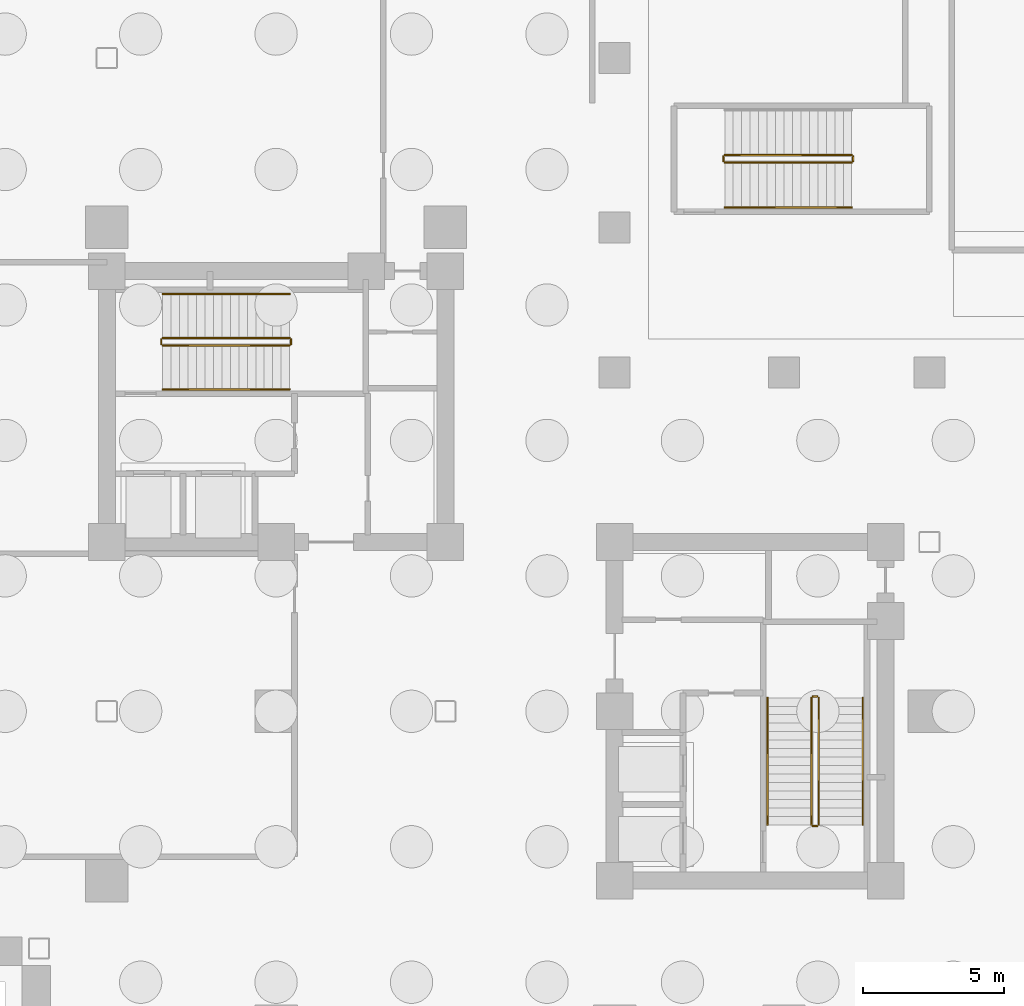
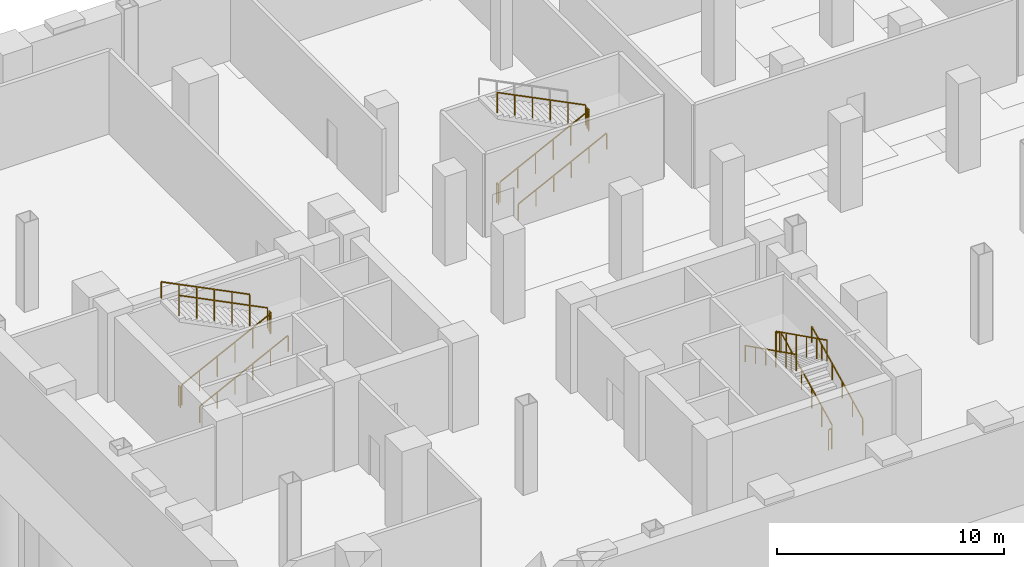
# One storey, part 5 of 7: 17 railings.
"""IFC4 building model written with IfcOpenShell, lengths in metres."""

from ifc_helpers import new_model, si_unit, direction, frame, origin, origin_2d, place, context, subcontext, project, spatial, rectangle, extrude, material, type_object, element, save


model = new_model("IFC4")

# Units and contexts
model_context = context("Model", 3, precision=1e-05, world=origin(), true_north=direction((0.0, 1.0)))
body_context = subcontext(model_context, "Body", "Model", "MODEL_VIEW")
ifc_project = project(units=[si_unit("LENGTHUNIT", "METRE"), si_unit("AREAUNIT", "SQUARE_METRE"), si_unit("VOLUMEUNIT", "CUBIC_METRE"), si_unit("PLANEANGLEUNIT", "RADIAN"), si_unit("MASSUNIT", "GRAM", prefix="KILO"), si_unit("THERMODYNAMICTEMPERATUREUNIT", "KELVIN"), si_unit("POWERUNIT", "WATT")], contexts=[model_context])

# Site, building, storey
site_placement = place(None, origin())
site = spatial("IfcSite", under=ifc_project, at=site_placement, CompositionType="ELEMENT")
building_placement = place(site_placement, origin())
building = spatial("IfcBuilding", under=site, at=building_placement, Name="Svarakhadi Broadcast Tower", CompositionType="ELEMENT")
storey_placement = place(building_placement, frame((0.0, 0.0, -9.60009765625)))
storey = spatial("IfcBuildingStorey", under=building, at=storey_placement, Name="B02", CompositionType="ELEMENT", Elevation=-9.60009765625)

# Railings
ifc_material = material(Name="Anodised Bronze Aluminium AA 6063-T6", Category="aluminium")
railing_type_1 = type_object("IfcRailingType", Name="Guard_Stair_GR01", PredefinedType="GUARDRAIL", material=ifc_material)
railing_1_placement = place(storey_placement, frame((7.97998046875, 24.969970703125, 0.150146484375)))
element("IfcRailing", 1, at=railing_1_placement, inside=storey, type_object=railing_type_1, Name="B02 ST-01 stair guard 1", PredefinedType="GUARDRAIL", context=body_context, shape_type="SweptSolid", body=[
    extrude(rectangle(XDim=0.048095703125, YDim=0.048095703125, at=origin_2d()), frame((0.0, 0.0, 1.09619140625), z_axis=(0.894427191, 0.0, 0.4472135955), x_axis=(0.0, 1.0, 0.0)), (0.0, 0.0, 1.0), 5.03125),
    extrude(rectangle(XDim=0.0419921875, YDim=0.0419921875, at=origin_2d()), origin(), (0.0, 0.0, 1.0), 1.072021484375),
    extrude(rectangle(XDim=0.0419921875, YDim=0.0419921875, at=origin_2d()), frame((0.89990234375, 0.0, 0.449951171875)), (0.0, 0.0, 1.0), 1.072021484375),
    extrude(rectangle(XDim=0.0419921875, YDim=0.0419921875, at=origin_2d()), frame((1.800048828125, 0.0, 0.89990234375)), (0.0, 0.0, 1.0), 1.072021484375),
    extrude(rectangle(XDim=0.0419921875, YDim=0.0419921875, at=origin_2d()), frame((2.699951171875, 0.0, 1.35009765625)), (0.0, 0.0, 1.0), 1.072021484375),
    extrude(rectangle(XDim=0.0419921875, YDim=0.0419921875, at=origin_2d()), frame((3.60009765625, 0.0, 1.800048828125)), (0.0, 0.0, 1.0), 1.072021484375),
    extrude(rectangle(XDim=0.0419921875, YDim=0.0419921875, at=origin_2d()), frame((4.5, 0.0, 2.25)), (0.0, 0.0, 1.0), 1.072021484375),
])
railing_2_placement = place(storey_placement, frame((12.530029296875, 25.02001953125, 2.400146484375)))
element("IfcRailing", 2, at=railing_2_placement, inside=storey, type_object=railing_type_1, Name="B02 ST-01 stair guard 2", PredefinedType="GUARDRAIL", context=body_context, shape_type="SweptSolid", body=[
    extrude(rectangle(XDim=0.048095703125, YDim=0.048095703125, at=origin_2d()), frame((0.0, 0.0, 1.09619140625), z_axis=(0.0, 1.0, 0.0), x_axis=(-1.0, 0.0, 0.0)), (0.0, 0.0, 1.0), 0.159912109375),
    extrude(rectangle(XDim=0.0419921875, YDim=0.0419921875, at=origin_2d()), origin(), (0.0, 0.0, 1.0), 1.072021484375),
    extrude(rectangle(XDim=0.0419921875, YDim=0.0419921875, at=origin_2d()), frame((0.0, 0.159912109375, 0.0)), (0.0, 0.0, 1.0), 1.072021484375),
])
railing_3_placement = place(storey_placement, frame((12.47998046875, 25.22998046875, 2.550048828125)))
element("IfcRailing", 3, at=railing_3_placement, inside=storey, type_object=railing_type_1, Name="B02 ST-01 stair guard 3", PredefinedType="GUARDRAIL", context=body_context, shape_type="SweptSolid", body=[
    extrude(rectangle(XDim=0.048095703125, YDim=0.048095703125, at=origin_2d()), frame((0.0, 0.0, 1.09619140625), z_axis=(-0.894427191, 0.0, 0.4472135955), x_axis=(0.0, -1.0, 0.0)), (0.0, 0.0, 1.0), 5.03125),
    extrude(rectangle(XDim=0.0419921875, YDim=0.0419921875, at=origin_2d()), origin(), (0.0, 0.0, 1.0), 1.072021484375),
    extrude(rectangle(XDim=0.0419921875, YDim=0.0419921875, at=origin_2d()), frame((-0.89990234375, 0.0, 0.449951171875)), (0.0, 0.0, 1.0), 1.072021484375),
    extrude(rectangle(XDim=0.0419921875, YDim=0.0419921875, at=origin_2d()), frame((-1.800048828125, 0.0, 0.89990234375)), (0.0, 0.0, 1.0), 1.072021484375),
    extrude(rectangle(XDim=0.0419921875, YDim=0.0419921875, at=origin_2d()), frame((-2.699951171875, 0.0, 1.35009765625)), (0.0, 0.0, 1.0), 1.072021484375),
    extrude(rectangle(XDim=0.0419921875, YDim=0.0419921875, at=origin_2d()), frame((-3.60009765625, 0.0, 1.800048828125)), (0.0, 0.0, 1.0), 1.072021484375),
    extrude(rectangle(XDim=0.0419921875, YDim=0.0419921875, at=origin_2d()), frame((-4.5, 0.0, 2.25)), (0.0, 0.0, 1.0), 1.072021484375),
])
railing_4_placement = place(storey_placement, frame((7.929931640625, 25.02001953125, 0.0)))
element("IfcRailing", 4, at=railing_4_placement, inside=storey, type_object=railing_type_1, Name="B02 ST-01 stair guard 4", PredefinedType="GUARDRAIL", context=body_context, shape_type="SweptSolid", body=[
    extrude(rectangle(XDim=0.048095703125, YDim=0.048095703125, at=origin_2d()), frame((0.0, 0.0, 1.09619140625), z_axis=(0.0, 1.0, 0.0), x_axis=(-1.0, 0.0, 0.0)), (0.0, 0.0, 1.0), 0.159912109375),
    extrude(rectangle(XDim=0.0419921875, YDim=0.0419921875, at=origin_2d()), origin(), (0.0, 0.0, 1.0), 1.072021484375),
    extrude(rectangle(XDim=0.0419921875, YDim=0.0419921875, at=origin_2d()), frame((0.0, 0.159912109375, 0.0)), (0.0, 0.0, 1.0), 1.072021484375),
])
railing_5_placement = place(storey_placement, frame((31.22998046875, 7.97998046875, 0.150146484375)))
element("IfcRailing", 5, at=railing_5_placement, inside=storey, type_object=railing_type_1, Name="B02 ST-02 stair guard 1", PredefinedType="GUARDRAIL", context=body_context, shape_type="SweptSolid", body=[
    extrude(rectangle(XDim=0.048095703125, YDim=0.048095703125, at=origin_2d()), frame((0.0, 0.0, 1.09619140625), z_axis=(0.0, 0.894427191, 0.4472135955), x_axis=(-1.0, 0.0, 0.0)), (0.0, 0.0, 1.0), 5.03125),
    extrude(rectangle(XDim=0.0419921875, YDim=0.0419921875, at=origin_2d()), origin(), (0.0, 0.0, 1.0), 1.072021484375),
    extrude(rectangle(XDim=0.0419921875, YDim=0.0419921875, at=origin_2d()), frame((0.0, 0.89990234375, 0.449951171875)), (0.0, 0.0, 1.0), 1.072021484375),
    extrude(rectangle(XDim=0.0419921875, YDim=0.0419921875, at=origin_2d()), frame((0.0, 1.800048828125, 0.89990234375)), (0.0, 0.0, 1.0), 1.072021484375),
    extrude(rectangle(XDim=0.0419921875, YDim=0.0419921875, at=origin_2d()), frame((0.0, 2.699951171875, 1.35009765625)), (0.0, 0.0, 1.0), 1.072021484375),
    extrude(rectangle(XDim=0.0419921875, YDim=0.0419921875, at=origin_2d()), frame((0.0, 3.60009765625, 1.800048828125)), (0.0, 0.0, 1.0), 1.072021484375),
    extrude(rectangle(XDim=0.0419921875, YDim=0.0419921875, at=origin_2d()), frame((0.0, 4.5, 2.25)), (0.0, 0.0, 1.0), 1.072021484375),
])
railing_6_placement = place(storey_placement, frame((31.179931640625, 12.530029296875, 2.400146484375)))
element("IfcRailing", 6, at=railing_6_placement, inside=storey, type_object=railing_type_1, Name="B02 ST-02 stair guard 2", PredefinedType="GUARDRAIL", context=body_context, shape_type="SweptSolid", body=[
    extrude(rectangle(XDim=0.048095703125, YDim=0.048095703125, at=origin_2d()), frame((0.0, 0.0, 1.09619140625), z_axis=(-1.0, 0.0, 0.0), x_axis=(0.0, -1.0, 0.0)), (0.0, 0.0, 1.0), 0.159912109375),
    extrude(rectangle(XDim=0.0419921875, YDim=0.0419921875, at=origin_2d()), origin(), (0.0, 0.0, 1.0), 1.072021484375),
    extrude(rectangle(XDim=0.0419921875, YDim=0.0419921875, at=origin_2d()), frame((-0.159912109375, 0.0, 0.0)), (0.0, 0.0, 1.0), 1.072021484375),
])
railing_7_placement = place(storey_placement, frame((30.969970703125, 12.47998046875, 2.550048828125)))
element("IfcRailing", 7, at=railing_7_placement, inside=storey, type_object=railing_type_1, Name="B02 ST-02 stair guard 3", PredefinedType="GUARDRAIL", context=body_context, shape_type="SweptSolid", body=[
    extrude(rectangle(XDim=0.048095703125, YDim=0.048095703125, at=origin_2d()), frame((0.0, 0.0, 1.09619140625), z_axis=(0.0, -0.894427191, 0.4472135955), x_axis=(1.0, 0.0, 0.0)), (0.0, 0.0, 1.0), 5.03125),
    extrude(rectangle(XDim=0.0419921875, YDim=0.0419921875, at=origin_2d()), origin(), (0.0, 0.0, 1.0), 1.072021484375),
    extrude(rectangle(XDim=0.0419921875, YDim=0.0419921875, at=origin_2d()), frame((0.0, -0.89990234375, 0.449951171875)), (0.0, 0.0, 1.0), 1.072021484375),
    extrude(rectangle(XDim=0.0419921875, YDim=0.0419921875, at=origin_2d()), frame((0.0, -1.800048828125, 0.89990234375)), (0.0, 0.0, 1.0), 1.072021484375),
    extrude(rectangle(XDim=0.0419921875, YDim=0.0419921875, at=origin_2d()), frame((0.0, -2.699951171875, 1.35009765625)), (0.0, 0.0, 1.0), 1.072021484375),
    extrude(rectangle(XDim=0.0419921875, YDim=0.0419921875, at=origin_2d()), frame((0.0, -3.60009765625, 1.800048828125)), (0.0, 0.0, 1.0), 1.072021484375),
    extrude(rectangle(XDim=0.0419921875, YDim=0.0419921875, at=origin_2d()), frame((0.0, -4.5, 2.25)), (0.0, 0.0, 1.0), 1.072021484375),
])
railing_8_placement = place(storey_placement, frame((31.179931640625, 7.929931640625, 0.0)))
element("IfcRailing", 8, at=railing_8_placement, inside=storey, type_object=railing_type_1, Name="B02 ST-02 stair guard 4", PredefinedType="GUARDRAIL", context=body_context, shape_type="SweptSolid", body=[
    extrude(rectangle(XDim=0.048095703125, YDim=0.048095703125, at=origin_2d()), frame((0.0, 0.0, 1.09619140625), z_axis=(-1.0, 0.0, 0.0), x_axis=(0.0, -1.0, 0.0)), (0.0, 0.0, 1.0), 0.159912109375),
    extrude(rectangle(XDim=0.0419921875, YDim=0.0419921875, at=origin_2d()), origin(), (0.0, 0.0, 1.0), 1.072021484375),
    extrude(rectangle(XDim=0.0419921875, YDim=0.0419921875, at=origin_2d()), frame((-0.159912109375, 0.0, 0.0)), (0.0, 0.0, 1.0), 1.072021484375),
])
railing_9_placement = place(storey_placement, frame((27.89990234375, 31.449951171875, 0.150146484375)))
element("IfcRailing", 9, at=railing_9_placement, inside=storey, type_object=railing_type_1, Name="B02 ST-03 stair guard 1", PredefinedType="GUARDRAIL", context=body_context, shape_type="SweptSolid", body=[
    extrude(rectangle(XDim=0.048095703125, YDim=0.048095703125, at=origin_2d()), frame((0.0, 0.0, 1.09619140625), z_axis=(0.894427191, 0.0, 0.4472135955), x_axis=(0.0, 1.0, 0.0)), (0.0, 0.0, 1.0), 5.03125),
    extrude(rectangle(XDim=0.0419921875, YDim=0.0419921875, at=origin_2d()), origin(), (0.0, 0.0, 1.0), 1.072021484375),
    extrude(rectangle(XDim=0.0419921875, YDim=0.0419921875, at=origin_2d()), frame((0.89990234375, 0.0, 0.449951171875)), (0.0, 0.0, 1.0), 1.072021484375),
    extrude(rectangle(XDim=0.0419921875, YDim=0.0419921875, at=origin_2d()), frame((1.800048828125, 0.0, 0.89990234375)), (0.0, 0.0, 1.0), 1.072021484375),
    extrude(rectangle(XDim=0.0419921875, YDim=0.0419921875, at=origin_2d()), frame((2.699951171875, 0.0, 1.35009765625)), (0.0, 0.0, 1.0), 1.072021484375),
    extrude(rectangle(XDim=0.0419921875, YDim=0.0419921875, at=origin_2d()), frame((3.60009765625, 0.0, 1.800048828125)), (0.0, 0.0, 1.0), 1.072021484375),
    extrude(rectangle(XDim=0.0419921875, YDim=0.0419921875, at=origin_2d()), frame((4.5, 0.0, 2.25)), (0.0, 0.0, 1.0), 1.072021484375),
])
railing_10_placement = place(storey_placement, frame((32.449951171875, 31.5, 2.400146484375)))
element("IfcRailing", 10, at=railing_10_placement, inside=storey, type_object=railing_type_1, Name="B02 ST-03 stair guard 2", PredefinedType="GUARDRAIL", context=body_context, shape_type="SweptSolid", body=[
    extrude(rectangle(XDim=0.048095703125, YDim=0.048095703125, at=origin_2d()), frame((0.0, 0.0, 1.09619140625), z_axis=(0.0, 1.0, 0.0), x_axis=(-1.0, 0.0, 0.0)), (0.0, 0.0, 1.0), 0.159912109375),
    extrude(rectangle(XDim=0.0419921875, YDim=0.0419921875, at=origin_2d()), origin(), (0.0, 0.0, 1.0), 1.072021484375),
    extrude(rectangle(XDim=0.0419921875, YDim=0.0419921875, at=origin_2d()), frame((0.0, 0.159912109375, 0.0)), (0.0, 0.0, 1.0), 1.072021484375),
])
railing_11_placement = place(storey_placement, frame((32.39990234375, 31.7099609375, 2.550048828125)))
element("IfcRailing", 11, at=railing_11_placement, inside=storey, type_object=railing_type_1, Name="B02 ST-03 stair guard 3", PredefinedType="GUARDRAIL", context=body_context, shape_type="SweptSolid", body=[
    extrude(rectangle(XDim=0.048095703125, YDim=0.048095703125, at=origin_2d()), frame((0.0, 0.0, 1.09619140625), z_axis=(-0.894427191, 0.0, 0.4472135955), x_axis=(0.0, -1.0, 0.0)), (0.0, 0.0, 1.0), 5.03125),
    extrude(rectangle(XDim=0.0419921875, YDim=0.0419921875, at=origin_2d()), origin(), (0.0, 0.0, 1.0), 1.072021484375),
    extrude(rectangle(XDim=0.0419921875, YDim=0.0419921875, at=origin_2d()), frame((-0.89990234375, 0.0, 0.449951171875)), (0.0, 0.0, 1.0), 1.072021484375),
    extrude(rectangle(XDim=0.0419921875, YDim=0.0419921875, at=origin_2d()), frame((-1.800048828125, 0.0, 0.89990234375)), (0.0, 0.0, 1.0), 1.072021484375),
    extrude(rectangle(XDim=0.0419921875, YDim=0.0419921875, at=origin_2d()), frame((-2.699951171875, 0.0, 1.35009765625)), (0.0, 0.0, 1.0), 1.072021484375),
    extrude(rectangle(XDim=0.0419921875, YDim=0.0419921875, at=origin_2d()), frame((-3.60009765625, 0.0, 1.800048828125)), (0.0, 0.0, 1.0), 1.072021484375),
    extrude(rectangle(XDim=0.0419921875, YDim=0.0419921875, at=origin_2d()), frame((-4.5, 0.0, 2.25)), (0.0, 0.0, 1.0), 1.072021484375),
])
railing_12_placement = place(storey_placement, frame((27.85009765625, 31.5, 0.0)))
element("IfcRailing", 12, at=railing_12_placement, inside=storey, type_object=railing_type_1, Name="B02 ST-03 stair guard 4", PredefinedType="GUARDRAIL", context=body_context, shape_type="SweptSolid", body=[
    extrude(rectangle(XDim=0.048095703125, YDim=0.048095703125, at=origin_2d()), frame((0.0, 0.0, 1.09619140625), z_axis=(0.0, 1.0, 0.0), x_axis=(-1.0, 0.0, 0.0)), (0.0, 0.0, 1.0), 0.159912109375),
    extrude(rectangle(XDim=0.0419921875, YDim=0.0419921875, at=origin_2d()), origin(), (0.0, 0.0, 1.0), 1.072021484375),
    extrude(rectangle(XDim=0.0419921875, YDim=0.0419921875, at=origin_2d()), frame((0.0, 0.159912109375, 0.0)), (0.0, 0.0, 1.0), 1.072021484375),
])
railing_type_2 = type_object("IfcRailingType", Name="Handrail_Stair_HR01", PredefinedType="HANDRAIL", material=ifc_material)
railing_13_placement = place(storey_placement, frame((7.97998046875, 23.409912109375, 0.150146484375)))
element("IfcRailing", 13, at=railing_13_placement, inside=storey, type_object=railing_type_2, Name="B02 ST-01 stair handrail 1", PredefinedType="HANDRAIL", context=body_context, shape_type="SweptSolid", body=[
    extrude(rectangle(XDim=0.048095703125, YDim=0.048095703125, at=origin_2d()), frame((0.0, 0.0, 0.8759765625), z_axis=(0.894427191, 0.0, 0.4472135955), x_axis=(0.0, 1.0, 0.0)), (0.0, 0.0, 1.0), 5.03125),
    extrude(rectangle(XDim=0.0419921875, YDim=0.0419921875, at=origin_2d()), origin(), (0.0, 0.0, 1.0), 0.851806640625),
    extrude(rectangle(XDim=0.0419921875, YDim=0.0419921875, at=origin_2d()), frame((0.89990234375, 0.0, 0.449951171875)), (0.0, 0.0, 1.0), 0.851806640625),
    extrude(rectangle(XDim=0.0419921875, YDim=0.0419921875, at=origin_2d()), frame((1.800048828125, 0.0, 0.89990234375)), (0.0, 0.0, 1.0), 0.851806640625),
    extrude(rectangle(XDim=0.0419921875, YDim=0.0419921875, at=origin_2d()), frame((2.699951171875, 0.0, 1.35009765625)), (0.0, 0.0, 1.0), 0.851806640625),
    extrude(rectangle(XDim=0.0419921875, YDim=0.0419921875, at=origin_2d()), frame((3.60009765625, 0.0, 1.800048828125)), (0.0, 0.0, 1.0), 0.851806640625),
    extrude(rectangle(XDim=0.0419921875, YDim=0.0419921875, at=origin_2d()), frame((4.5, 0.0, 2.25)), (0.0, 0.0, 1.0), 0.851806640625),
])
railing_14_placement = place(storey_placement, frame((12.47998046875, 26.7900390625, 2.550048828125)))
element("IfcRailing", 14, at=railing_14_placement, inside=storey, type_object=railing_type_2, Name="B02 ST-01 stair handrail 2", PredefinedType="HANDRAIL", context=body_context, shape_type="SweptSolid", body=[
    extrude(rectangle(XDim=0.048095703125, YDim=0.048095703125, at=origin_2d()), frame((0.0, 0.0, 0.8759765625), z_axis=(-0.894427191, 0.0, 0.4472135955), x_axis=(0.0, -1.0, 0.0)), (0.0, 0.0, 1.0), 5.03125),
    extrude(rectangle(XDim=0.0419921875, YDim=0.0419921875, at=origin_2d()), origin(), (0.0, 0.0, 1.0), 0.851806640625),
    extrude(rectangle(XDim=0.0419921875, YDim=0.0419921875, at=origin_2d()), frame((-0.89990234375, 0.0, 0.449951171875)), (0.0, 0.0, 1.0), 0.851806640625),
    extrude(rectangle(XDim=0.0419921875, YDim=0.0419921875, at=origin_2d()), frame((-1.800048828125, 0.0, 0.89990234375)), (0.0, 0.0, 1.0), 0.851806640625),
    extrude(rectangle(XDim=0.0419921875, YDim=0.0419921875, at=origin_2d()), frame((-2.699951171875, 0.0, 1.35009765625)), (0.0, 0.0, 1.0), 0.851806640625),
    extrude(rectangle(XDim=0.0419921875, YDim=0.0419921875, at=origin_2d()), frame((-3.60009765625, 0.0, 1.800048828125)), (0.0, 0.0, 1.0), 0.851806640625),
    extrude(rectangle(XDim=0.0419921875, YDim=0.0419921875, at=origin_2d()), frame((-4.5, 0.0, 2.25)), (0.0, 0.0, 1.0), 0.851806640625),
])
railing_15_placement = place(storey_placement, frame((32.7900390625, 7.97998046875, 0.150146484375)))
element("IfcRailing", 15, at=railing_15_placement, inside=storey, type_object=railing_type_2, Name="B02 ST-02 stair handrail 1", PredefinedType="HANDRAIL", context=body_context, shape_type="SweptSolid", body=[
    extrude(rectangle(XDim=0.048095703125, YDim=0.048095703125, at=origin_2d()), frame((0.0, 0.0, 0.8759765625), z_axis=(0.0, 0.894427191, 0.4472135955), x_axis=(-1.0, 0.0, 0.0)), (0.0, 0.0, 1.0), 5.03125),
    extrude(rectangle(XDim=0.0419921875, YDim=0.0419921875, at=origin_2d()), origin(), (0.0, 0.0, 1.0), 0.851806640625),
    extrude(rectangle(XDim=0.0419921875, YDim=0.0419921875, at=origin_2d()), frame((0.0, 0.89990234375, 0.449951171875)), (0.0, 0.0, 1.0), 0.851806640625),
    extrude(rectangle(XDim=0.0419921875, YDim=0.0419921875, at=origin_2d()), frame((0.0, 1.800048828125, 0.89990234375)), (0.0, 0.0, 1.0), 0.851806640625),
    extrude(rectangle(XDim=0.0419921875, YDim=0.0419921875, at=origin_2d()), frame((0.0, 2.699951171875, 1.35009765625)), (0.0, 0.0, 1.0), 0.851806640625),
    extrude(rectangle(XDim=0.0419921875, YDim=0.0419921875, at=origin_2d()), frame((0.0, 3.60009765625, 1.800048828125)), (0.0, 0.0, 1.0), 0.851806640625),
    extrude(rectangle(XDim=0.0419921875, YDim=0.0419921875, at=origin_2d()), frame((0.0, 4.5, 2.25)), (0.0, 0.0, 1.0), 0.851806640625),
])
railing_16_placement = place(storey_placement, frame((29.409912109375, 12.47998046875, 2.550048828125)))
element("IfcRailing", 16, at=railing_16_placement, inside=storey, type_object=railing_type_2, Name="B02 ST-02 stair handrail 2", PredefinedType="HANDRAIL", context=body_context, shape_type="SweptSolid", body=[
    extrude(rectangle(XDim=0.048095703125, YDim=0.048095703125, at=origin_2d()), frame((0.0, 0.0, 0.8759765625), z_axis=(0.0, -0.894427191, 0.4472135955), x_axis=(1.0, 0.0, 0.0)), (0.0, 0.0, 1.0), 5.03125),
    extrude(rectangle(XDim=0.0419921875, YDim=0.0419921875, at=origin_2d()), origin(), (0.0, 0.0, 1.0), 0.851806640625),
    extrude(rectangle(XDim=0.0419921875, YDim=0.0419921875, at=origin_2d()), frame((0.0, -0.89990234375, 0.449951171875)), (0.0, 0.0, 1.0), 0.851806640625),
    extrude(rectangle(XDim=0.0419921875, YDim=0.0419921875, at=origin_2d()), frame((0.0, -1.800048828125, 0.89990234375)), (0.0, 0.0, 1.0), 0.851806640625),
    extrude(rectangle(XDim=0.0419921875, YDim=0.0419921875, at=origin_2d()), frame((0.0, -2.699951171875, 1.35009765625)), (0.0, 0.0, 1.0), 0.851806640625),
    extrude(rectangle(XDim=0.0419921875, YDim=0.0419921875, at=origin_2d()), frame((0.0, -3.60009765625, 1.800048828125)), (0.0, 0.0, 1.0), 0.851806640625),
    extrude(rectangle(XDim=0.0419921875, YDim=0.0419921875, at=origin_2d()), frame((0.0, -4.5, 2.25)), (0.0, 0.0, 1.0), 0.851806640625),
])
railing_17_placement = place(storey_placement, frame((27.89990234375, 29.85009765625, 0.150146484375)))
element("IfcRailing", 17, at=railing_17_placement, inside=storey, type_object=railing_type_2, Name="B02 ST-03 stair handrail 1", PredefinedType="HANDRAIL", context=body_context, shape_type="SweptSolid", body=[
    extrude(rectangle(XDim=0.048095703125, YDim=0.048095703125, at=origin_2d()), frame((0.0, 0.0, 0.8759765625), z_axis=(0.894427191, 0.0, 0.4472135955), x_axis=(0.0, 1.0, 0.0)), (0.0, 0.0, 1.0), 5.03125),
    extrude(rectangle(XDim=0.0419921875, YDim=0.0419921875, at=origin_2d()), origin(), (0.0, 0.0, 1.0), 0.851806640625),
    extrude(rectangle(XDim=0.0419921875, YDim=0.0419921875, at=origin_2d()), frame((0.89990234375, 0.0, 0.449951171875)), (0.0, 0.0, 1.0), 0.851806640625),
    extrude(rectangle(XDim=0.0419921875, YDim=0.0419921875, at=origin_2d()), frame((1.800048828125, 0.0, 0.89990234375)), (0.0, 0.0, 1.0), 0.851806640625),
    extrude(rectangle(XDim=0.0419921875, YDim=0.0419921875, at=origin_2d()), frame((2.699951171875, 0.0, 1.35009765625)), (0.0, 0.0, 1.0), 0.851806640625),
    extrude(rectangle(XDim=0.0419921875, YDim=0.0419921875, at=origin_2d()), frame((3.60009765625, 0.0, 1.800048828125)), (0.0, 0.0, 1.0), 0.851806640625),
    extrude(rectangle(XDim=0.0419921875, YDim=0.0419921875, at=origin_2d()), frame((4.5, 0.0, 2.25)), (0.0, 0.0, 1.0), 0.851806640625),
])

save(model, "model.ifc")
